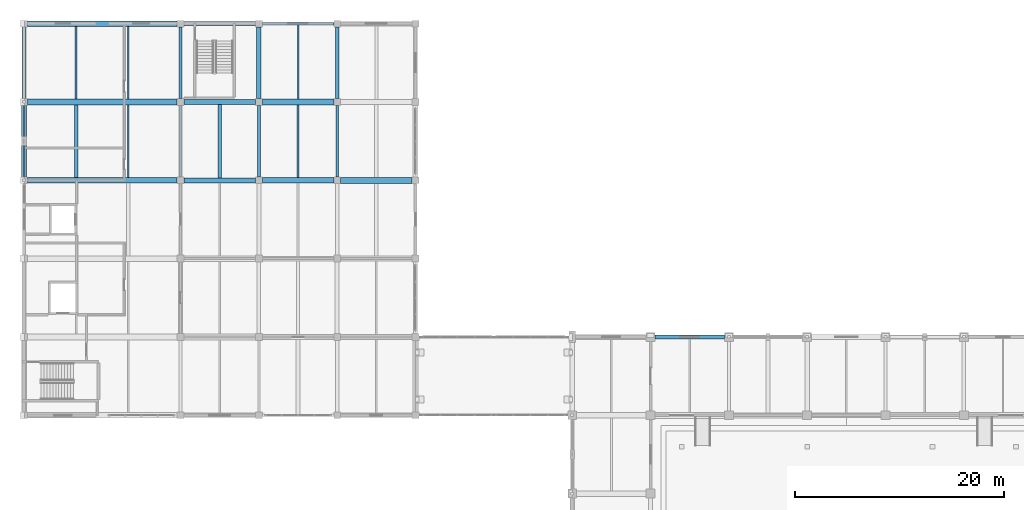
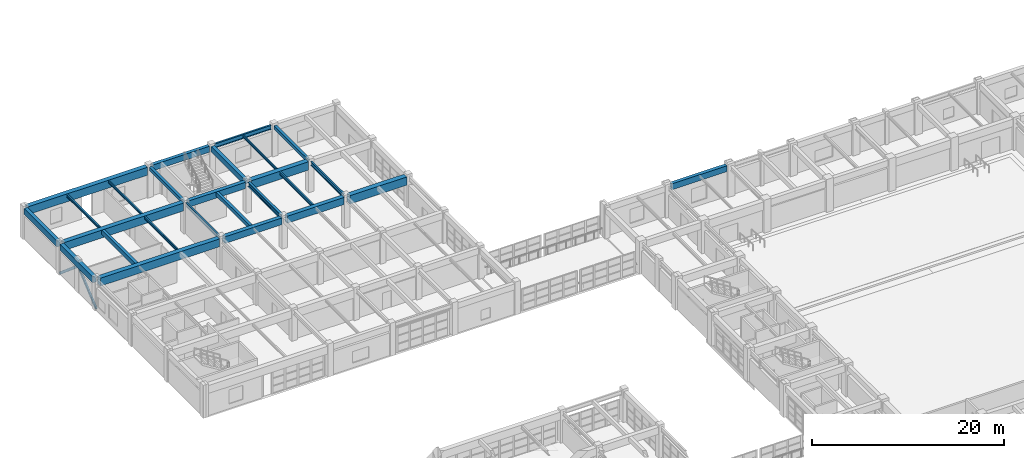
# One storey, part 53 of 132: 26 beams, 2 members.
"""IFC4 building model written with IfcOpenShell, lengths in metres."""

from ifc_helpers import new_model, si_unit, direction, frame, origin, origin_2d, place, context, subcontext, project, spatial, rectangle, hollow_rectangle, i_section, extrude, material, material_profile, profile_set, type_object, element, save


model = new_model("IFC4")

# Units and contexts
model_context = context("Model", 3, precision=1e-05, world=origin(), true_north=direction((0.0, 1.0)))
body_context = subcontext(model_context, "Body", "Model", "MODEL_VIEW")
ifc_project = project(units=[si_unit("LENGTHUNIT", "METRE"), si_unit("AREAUNIT", "SQUARE_METRE"), si_unit("VOLUMEUNIT", "CUBIC_METRE"), si_unit("PLANEANGLEUNIT", "RADIAN"), si_unit("MASSUNIT", "GRAM", prefix="KILO")], contexts=[model_context])

# Site, building, storey
site_placement = place(None, origin())
site = spatial("IfcSite", under=ifc_project, at=site_placement, CompositionType="ELEMENT")
building_placement = place(site_placement, origin())
building = spatial("IfcBuilding", under=site, at=building_placement, Name="Qasida Concert Hall", CompositionType="ELEMENT")
storey_placement = place(building_placement, frame((0.0, 0.0, 4.800048828125)))
storey = spatial("IfcBuildingStorey", under=building, at=storey_placement, Name="L01", CompositionType="ELEMENT", Elevation=4.800048828125)

# Beams
ifc_material_1 = material(Name="Concrete C40/50", Category="concrete")
ifc_material_profile_1 = material_profile(ifc_material_1, rectangle(XDim=0.419921875, YDim=0.699951171875, at=origin_2d()), Name="RC 420x700")
ifc_profile_set_1 = profile_set([ifc_material_profile_1], Name="Concrete C40/50")
beam_type_1 = type_object("IfcBeamType", Name="BM-B11", PredefinedType="BEAM", material=ifc_profile_set_1)
beam_1_placement = place(storey_placement, frame((22.5, 105.324951171875, 3.570068359375), z_axis=(0.0, 1.0, 0.0), x_axis=(-1.0, 0.0, 0.0)))
element("IfcBeam", 1, at=beam_1_placement, inside=storey, type_object=beam_type_1, Name="L01 girder 1103", PredefinedType="BEAM", context=body_context, shape_type="SweptSolid", body=[
    extrude(rectangle(XDim=0.419921875, YDim=0.699951171875, at=origin_2d()), origin(), (0.0, 0.0, 1.0), 6.85009765625),
])
ifc_material_2 = material(Name="Steel S355J2", Category="steel")
ifc_material_profile_2 = material_profile(ifc_material_2, i_section(OverallWidth=0.300048828125, OverallDepth=0.550048828125, WebThickness=0.014892578125, FlangeThickness=0.029052734375, FilletRadius=0.027099609375, at=origin_2d()), Name="HEB 550")
ifc_profile_set_2 = profile_set([ifc_material_profile_2], Name="Steel S355J2")
beam_type_2 = type_object("IfcBeamType", Name="BM-B12", PredefinedType="BEAM", material=ifc_profile_set_2)
beam_2_placement = place(storey_placement, frame((22.5, 97.824951171875, 3.64501953125), z_axis=(0.0, 1.0, 0.0), x_axis=(-1.0, 0.0, 0.0)))
element("IfcBeam", 2, at=beam_2_placement, inside=storey, type_object=beam_type_2, Name="L01 girder 1102", PredefinedType="BEAM", context=body_context, shape_type="SweptSolid", body=[
    extrude(i_section(OverallWidth=0.300048828125, OverallDepth=0.550048828125, WebThickness=0.014892578125, FlangeThickness=0.029052734375, FilletRadius=0.027099609375, at=origin_2d()), origin(), (0.0, 0.0, 1.0), 6.85009765625),
])
ifc_material_profile_3 = material_profile(ifc_material_1, rectangle(XDim=0.300048828125, YDim=0.449951171875, at=origin_2d()), Name="RC 300x450")
ifc_profile_set_3 = profile_set([ifc_material_profile_3], Name="Concrete C40/50")
beam_type_3 = type_object("IfcBeamType", Name="BM-B3", PredefinedType="BEAM", material=ifc_profile_set_3)
for number, where, z_axis, x_axis, name in (
    (3, (15.0, 105.324951171875, 3.695068359375), (0.0, 1.0, 0.0), (-1.0, 0.0, 0.0), "L01 girder 1098"),
    (4, (30.0, 105.324951171875, 3.695068359375), (0.0, 1.0, 0.0), (-1.0, 0.0, 0.0), "L01 girder 1108"),
):
    element("IfcBeam", number, at=place(storey_placement, frame(where, z_axis=z_axis, x_axis=x_axis)), inside=storey, type_object=beam_type_3, Name=name, PredefinedType="BEAM", context=body_context, shape_type="SweptSolid", body=[
        extrude(rectangle(XDim=0.300048828125, YDim=0.449951171875, at=origin_2d()), origin(), (0.0, 0.0, 1.0), 6.85009765625),
    ])
ifc_material_profile_4 = material_profile(ifc_material_2, i_section(OverallWidth=0.199951171875, OverallDepth=0.5, WebThickness=0.01025390625, FlangeThickness=0.01611328125, FilletRadius=0.02099609375, at=origin_2d()), Name="IPE 500")
ifc_profile_set_4 = profile_set([ifc_material_profile_4], Name="Steel S355J2")
beam_type_4 = type_object("IfcBeamType", Name="BM-B4", PredefinedType="BEAM", material=ifc_profile_set_4)
for number, where, z_axis, x_axis, name in (
    (5, (15.0, 97.824951171875, 3.669921875), (0.0, 1.0, 0.0), (-1.0, 0.0, 0.0), "L01 girder 1097"),
    (6, (30.0, 97.824951171875, 3.669921875), (0.0, 1.0, 0.0), (-1.0, 0.0, 0.0), "L01 girder 1107"),
):
    element("IfcBeam", number, at=place(storey_placement, frame(where, z_axis=z_axis, x_axis=x_axis)), inside=storey, type_object=beam_type_4, Name=name, PredefinedType="BEAM", context=body_context, shape_type="SweptSolid", body=[
        extrude(i_section(OverallWidth=0.199951171875, OverallDepth=0.5, WebThickness=0.01025390625, FlangeThickness=0.01611328125, FilletRadius=0.02099609375, at=origin_2d()), origin(), (0.0, 0.0, 1.0), 6.85009765625),
    ])
ifc_material_profile_5 = material_profile(ifc_material_1, rectangle(XDim=0.5, YDim=0.89990234375, at=origin_2d()), Name="RC 500x900")
ifc_profile_set_5 = profile_set([ifc_material_profile_5], Name="Concrete C40/50")
beam_type_5 = type_object("IfcBeamType", Name="BM-G1", PredefinedType="USERDEFINED", material=ifc_profile_set_5)
beam_3_placement = place(storey_placement, frame((22.824951171875, 97.5, 3.469970703125), z_axis=(1.0, 0.0, 0.0), x_axis=(0.0, 1.0, 0.0)))
element("IfcBeam", 7, at=beam_3_placement, inside=storey, type_object=beam_type_5, Name="Primary girder 1079", ObjectType="GIRDER", PredefinedType="USERDEFINED", context=body_context, shape_type="SweptSolid", body=[
    extrude(rectangle(XDim=0.5, YDim=0.89990234375, at=origin_2d()), origin(), (0.0, 0.0, 1.0), 6.85009765625),
])
ifc_material_profile_6 = material_profile(ifc_material_1, rectangle(XDim=0.449951171875, YDim=0.800048828125, at=origin_2d()), Name="RC 450x800")
ifc_profile_set_6 = profile_set([ifc_material_profile_6], Name="Concrete C40/50")
beam_type_6 = type_object("IfcBeamType", Name="BM-G2", PredefinedType="USERDEFINED", material=ifc_profile_set_6)
beam_4_placement = place(storey_placement, frame((15.324951171875, 105.0, 3.52001953125), z_axis=(1.0, 0.0, 0.0), x_axis=(0.0, 1.0, 0.0)))
element("IfcBeam", 8, at=beam_4_placement, inside=storey, type_object=beam_type_6, Name="Primary girder 1082", ObjectType="GIRDER", PredefinedType="USERDEFINED", context=body_context, shape_type="SweptSolid", body=[
    extrude(rectangle(XDim=0.449951171875, YDim=0.800048828125, at=origin_2d()), origin(), (0.0, 0.0, 1.0), 6.85009765625),
])
ifc_material_profile_7 = material_profile(ifc_material_1, rectangle(XDim=0.550048828125, YDim=1.0, at=origin_2d()), Name="RC 550x1000")
ifc_profile_set_7 = profile_set([ifc_material_profile_7], Name="Concrete C40/50")
beam_type_7 = type_object("IfcBeamType", Name="BM-G3", PredefinedType="USERDEFINED", material=ifc_profile_set_7)
for number, where, z_axis, x_axis, name in (
    (9, (0.324951171875, 97.5, 3.419921875), (1.0, 0.0, 0.0), (0.0, 1.0, 0.0), "Primary girder 1077"),
    (10, (0.324951171875, 105.0, 3.419921875), (1.0, 0.0, 0.0), (0.0, 1.0, 0.0), "Primary girder 1081"),
    (11, (0.324951171875, 112.5, 3.419921875), (1.0, 0.0, 0.0), (0.0, 1.0, 0.0), "Primary girder 1085"),
):
    element("IfcBeam", number, at=place(storey_placement, frame(where, z_axis=z_axis, x_axis=x_axis)), inside=storey, type_object=beam_type_7, Name=name, ObjectType="GIRDER", PredefinedType="USERDEFINED", context=body_context, shape_type="SweptSolid", body=[
        extrude(rectangle(XDim=0.550048828125, YDim=1.0, at=origin_2d()), origin(), (0.0, 0.0, 1.0), 14.35009765625),
    ])
ifc_material_profile_8 = material_profile(ifc_material_1, rectangle(XDim=0.47998046875, YDim=0.85009765625, at=origin_2d()), Name="RC 480x850")
ifc_profile_set_8 = profile_set([ifc_material_profile_8], Name="Concrete C40/50")
beam_type_8 = type_object("IfcBeamType", Name="BM-G6", PredefinedType="USERDEFINED", material=ifc_profile_set_8)
beam_5_placement = place(storey_placement, frame((15.324951171875, 97.5, 3.494873046875), z_axis=(1.0, 0.0, 0.0), x_axis=(0.0, 1.0, 0.0)))
element("IfcBeam", 12, at=beam_5_placement, inside=storey, type_object=beam_type_8, Name="Primary girder 1078", ObjectType="GIRDER", PredefinedType="USERDEFINED", context=body_context, shape_type="SweptSolid", body=[
    extrude(rectangle(XDim=0.47998046875, YDim=0.85009765625, at=origin_2d()), origin(), (0.0, 0.0, 1.0), 6.85009765625),
])
ifc_material_3 = material(Name="Concrete C50/60", Category="concrete")
ifc_material_profile_9 = material_profile(ifc_material_3, rectangle(XDim=0.580078125, YDim=1.050048828125, at=origin_2d()), Name="RC 580x1050")
ifc_profile_set_9 = profile_set([ifc_material_profile_9], Name="Concrete C50/60")
beam_type_9 = type_object("IfcBeamType", Name="BM-G8", PredefinedType="USERDEFINED", material=ifc_profile_set_9)
for number, where, z_axis, x_axis, name in (
    (13, (30.324951171875, 97.5, 3.39501953125), (1.0, 0.0, 0.0), (0.0, 1.0, 0.0), "Primary girder 1080"),
    (14, (22.824951171875, 105.0, 3.39501953125), (1.0, 0.0, 0.0), (0.0, 1.0, 0.0), "Primary girder 1083"),
):
    element("IfcBeam", number, at=place(storey_placement, frame(where, z_axis=z_axis, x_axis=x_axis)), inside=storey, type_object=beam_type_9, Name=name, ObjectType="GIRDER", PredefinedType="USERDEFINED", context=body_context, shape_type="SweptSolid", body=[
        extrude(rectangle(XDim=0.580078125, YDim=1.050048828125, at=origin_2d()), origin(), (0.0, 0.0, 1.0), 6.85009765625),
    ])
ifc_material_profile_10 = material_profile(ifc_material_2, i_section(OverallWidth=0.169921875, OverallDepth=0.360107421875, WebThickness=0.008056640625, FlangeThickness=0.0126953125, FilletRadius=0.01806640625, at=origin_2d()), Name="IPE 360")
ifc_profile_set_10 = profile_set([ifc_material_profile_10], Name="Steel S355J2")
beam_type_10 = type_object("IfcBeamType", Name="BM-J2", PredefinedType="JOIST", material=ifc_profile_set_10)
for number, where, z_axis, x_axis, name in (
    (15, (10.0, 97.77490234375, 3.739990234375), (0.0, 1.0, 0.0), (-1.0, 0.0, 0.0), "L01 secondary joist 1120"),
    (16, (5.0, 105.27490234375, 3.739990234375), (0.0, 1.0, 0.0), (-1.0, 0.0, 0.0), "L01 secondary joist 1121"),
):
    element("IfcBeam", number, at=place(storey_placement, frame(where, z_axis=z_axis, x_axis=x_axis)), inside=storey, type_object=beam_type_10, Name=name, PredefinedType="JOIST", context=body_context, shape_type="SweptSolid", body=[
        extrude(i_section(OverallWidth=0.169921875, OverallDepth=0.360107421875, WebThickness=0.008056640625, FlangeThickness=0.0126953125, FilletRadius=0.01806640625, at=origin_2d()), origin(), (0.0, 0.0, 1.0), 6.9501953125),
    ])
ifc_material_profile_11 = material_profile(ifc_material_2, i_section(OverallWidth=0.179931640625, OverallDepth=0.39990234375, WebThickness=0.008544921875, FlangeThickness=0.013427734375, FilletRadius=0.02099609375, at=origin_2d()), Name="IPE 400")
ifc_profile_set_11 = profile_set([ifc_material_profile_11], Name="Steel S355J2")
beam_type_11 = type_object("IfcBeamType", Name="BM-J3", PredefinedType="JOIST", material=ifc_profile_set_11)
beam_6_placement = place(storey_placement, frame((26.25, 97.75, 3.719970703125), z_axis=(0.0, 1.0, 0.0), x_axis=(-1.0, 0.0, 0.0)))
element("IfcBeam", 17, at=beam_6_placement, inside=storey, type_object=beam_type_11, Name="L01 secondary joist 1130", PredefinedType="JOIST", context=body_context, shape_type="SweptSolid", body=[
    extrude(i_section(OverallWidth=0.179931640625, OverallDepth=0.39990234375, WebThickness=0.008544921875, FlangeThickness=0.013427734375, FilletRadius=0.02099609375, at=origin_2d()), origin(), (0.0, 0.0, 1.0), 6.9599609375),
])
ifc_material_profile_12 = material_profile(ifc_material_2, i_section(OverallWidth=0.14990234375, OverallDepth=0.300048828125, WebThickness=0.007080078125, FlangeThickness=0.0107421875, FilletRadius=0.014892578125, at=origin_2d()), Name="IPE 300")
ifc_profile_set_12 = profile_set([ifc_material_profile_12], Name="Steel S355J2")
beam_type_12 = type_object("IfcBeamType", Name="BM-J4", PredefinedType="JOIST", material=ifc_profile_set_12)
beam_7_placement = place(storey_placement, frame((10.0, 105.27490234375, 3.77001953125), z_axis=(0.0, 1.0, 0.0), x_axis=(-1.0, 0.0, 0.0)))
element("IfcBeam", 18, at=beam_7_placement, inside=storey, type_object=beam_type_12, Name="L01 secondary joist 1122", PredefinedType="JOIST", context=body_context, shape_type="SweptSolid", body=[
    extrude(i_section(OverallWidth=0.14990234375, OverallDepth=0.300048828125, WebThickness=0.007080078125, FlangeThickness=0.0107421875, FilletRadius=0.014892578125, at=origin_2d()), origin(), (0.0, 0.0, 1.0), 6.9501953125),
])
beam_8_placement = place(storey_placement, frame((26.25, 105.2900390625, 3.77001953125), z_axis=(0.0, 1.0, 0.0), x_axis=(-1.0, 0.0, 0.0)))
element("IfcBeam", 19, at=beam_8_placement, inside=storey, type_object=beam_type_12, Name="L01 secondary joist 1131", PredefinedType="JOIST", context=body_context, shape_type="SweptSolid", body=[
    extrude(i_section(OverallWidth=0.14990234375, OverallDepth=0.300048828125, WebThickness=0.007080078125, FlangeThickness=0.0107421875, FilletRadius=0.014892578125, at=origin_2d()), origin(), (0.0, 0.0, 1.0), 7.10498046875),
])
ifc_material_profile_13 = material_profile(ifc_material_1, rectangle(XDim=0.320068359375, YDim=0.5, at=origin_2d()), Name="RC 320x500")
ifc_profile_set_13 = profile_set([ifc_material_profile_13], Name="Concrete C40/50")
beam_type_13 = type_object("IfcBeamType", Name="BM-J7", PredefinedType="JOIST", material=ifc_profile_set_13)
beam_9_placement = place(storey_placement, frame((18.75, 97.739990234375, 3.669921875), z_axis=(0.0, 1.0, 0.0), x_axis=(-1.0, 0.0, 0.0)))
element("IfcBeam", 20, at=beam_9_placement, inside=storey, type_object=beam_type_13, Name="L01 secondary joist 1126", PredefinedType="JOIST", context=body_context, shape_type="SweptSolid", body=[
    extrude(rectangle(XDim=0.320068359375, YDim=0.5, at=origin_2d()), origin(), (0.0, 0.0, 1.0), 7.034912109375),
])
ifc_material_profile_14 = material_profile(ifc_material_1, rectangle(XDim=0.35009765625, YDim=0.550048828125, at=origin_2d()), Name="RC 350x550")
ifc_profile_set_14 = profile_set([ifc_material_profile_14], Name="Concrete C40/50")
beam_type_14 = type_object("IfcBeamType", Name="BM-J8", PredefinedType="JOIST", material=ifc_profile_set_14)
beam_10_placement = place(storey_placement, frame((5.0, 97.77490234375, 3.64501953125), z_axis=(0.0, 1.0, 0.0), x_axis=(-1.0, 0.0, 0.0)))
element("IfcBeam", 21, at=beam_10_placement, inside=storey, type_object=beam_type_14, Name="L01 secondary joist 1119", PredefinedType="JOIST", context=body_context, shape_type="SweptSolid", body=[
    extrude(rectangle(XDim=0.35009765625, YDim=0.550048828125, at=origin_2d()), origin(), (0.0, 0.0, 1.0), 6.9501953125),
])
ifc_material_profile_15 = material_profile(ifc_material_1, rectangle(XDim=0.39990234375, YDim=0.75, at=origin_2d()), Name="RC 400x750")
ifc_profile_set_15 = profile_set([ifc_material_profile_15], Name="Concrete C40/50")
beam_type_15 = type_object("IfcBeamType", Name="BM-SP1", PredefinedType="SPANDREL", material=ifc_profile_set_15)
beam_11_placement = place(storey_placement, frame((60.425048828125, 82.5, 3.544921875), z_axis=(1.0, 0.0, 0.0), x_axis=(0.0, 1.0, 0.0)))
element("IfcBeam", 22, at=beam_11_placement, inside=storey, type_object=beam_type_15, Name="Primary girder 0792", PredefinedType="SPANDREL", context=body_context, shape_type="SweptSolid", body=[
    extrude(rectangle(XDim=0.39990234375, YDim=0.75, at=origin_2d()), origin(), (0.0, 0.0, 1.0), 6.64990234375),
])
for number, where, z_axis, x_axis, name in (
    (23, (15.324951171875, 112.5, 3.544921875), (1.0, 0.0, 0.0), (0.0, 1.0, 0.0), "Primary girder 1086"),
    (24, (0.0, 105.324951171875, 3.544921875), (0.0, 1.0, 0.0), (-1.0, 0.0, 0.0), "L01 girder 1093"),
):
    element("IfcBeam", number, at=place(storey_placement, frame(where, z_axis=z_axis, x_axis=x_axis)), inside=storey, type_object=beam_type_15, Name=name, PredefinedType="SPANDREL", context=body_context, shape_type="SweptSolid", body=[
        extrude(rectangle(XDim=0.39990234375, YDim=0.75, at=origin_2d()), origin(), (0.0, 0.0, 1.0), 6.85009765625),
    ])
ifc_material_profile_16 = material_profile(ifc_material_2, i_section(OverallWidth=0.2099609375, OverallDepth=0.550048828125, WebThickness=0.010986328125, FlangeThickness=0.01708984375, FilletRadius=0.02392578125, at=origin_2d()), Name="IPE 550")
ifc_profile_set_16 = profile_set([ifc_material_profile_16], Name="Steel S355J2")
beam_type_16 = type_object("IfcBeamType", Name="BM-SP2", PredefinedType="SPANDREL", material=ifc_profile_set_16)
beam_12_placement = place(storey_placement, frame((22.824951171875, 112.5, 3.64501953125), z_axis=(1.0, 0.0, 0.0), x_axis=(0.0, 1.0, 0.0)))
element("IfcBeam", 25, at=beam_12_placement, inside=storey, type_object=beam_type_16, Name="Primary girder 1087", PredefinedType="SPANDREL", context=body_context, shape_type="SweptSolid", body=[
    extrude(i_section(OverallWidth=0.2099609375, OverallDepth=0.550048828125, WebThickness=0.010986328125, FlangeThickness=0.01708984375, FilletRadius=0.02392578125, at=origin_2d()), origin(), (0.0, 0.0, 1.0), 6.85009765625),
])
ifc_material_profile_17 = material_profile(ifc_material_1, rectangle(XDim=0.449951171875, YDim=0.75, at=origin_2d()), Name="RC 450x750")
ifc_profile_set_17 = profile_set([ifc_material_profile_17], Name="Concrete C40/50")
beam_type_17 = type_object("IfcBeamType", Name="BM-SP4", PredefinedType="SPANDREL", material=ifc_profile_set_17)
beam_13_placement = place(storey_placement, frame((0.0, 97.824951171875, 3.544921875), z_axis=(0.0, 1.0, 0.0), x_axis=(-1.0, 0.0, 0.0)))
element("IfcBeam", 26, at=beam_13_placement, inside=storey, type_object=beam_type_17, Name="L01 girder 1092", PredefinedType="SPANDREL", context=body_context, shape_type="SweptSolid", body=[
    extrude(rectangle(XDim=0.449951171875, YDim=0.75, at=origin_2d()), origin(), (0.0, 0.0, 1.0), 6.85009765625),
])

# Members
ifc_material_profile_18 = material_profile(ifc_material_2, hollow_rectangle(XDim=0.199951171875, YDim=0.300048828125, WallThickness=0.012451171875, InnerFilletRadius=0.012451171875, OuterFilletRadius=0.02490234375, at=origin_2d()), Name="RHS 300x200x12.5")
ifc_profile_set_18 = profile_set([ifc_material_profile_18], Name="Steel S355J2")
member_type = type_object("IfcMemberType", Name="MB-BR7", PredefinedType="BRACE", material=ifc_profile_set_18)
for number, where, z_axis, x_axis, name in (
    (27, (0.0, 97.5, 0.0), (0.0, 0.763703031539, 0.645567718848), (-1.0, 0.0, 0.0), "L01 chevron brace CBF-0059"),
    (28, (0.0, 105.0, 0.0), (0.0, -0.763703031539, 0.645567718848), (1.0, 0.0, 0.0), "L01 chevron brace CBF-0060"),
):
    element("IfcMember", number, at=place(storey_placement, frame(where, z_axis=z_axis, x_axis=x_axis)), inside=storey, type_object=member_type, Name=name, PredefinedType="BRACE", context=body_context, shape_type="SweptSolid", body=[
        extrude(hollow_rectangle(XDim=0.199951171875, YDim=0.300048828125, WallThickness=0.012451171875, InnerFilletRadius=0.012451171875, OuterFilletRadius=0.02490234375, at=origin_2d()), origin(), (0.0, 0.0, 1.0), 4.910400390625),
    ])

save(model, "model.ifc")
